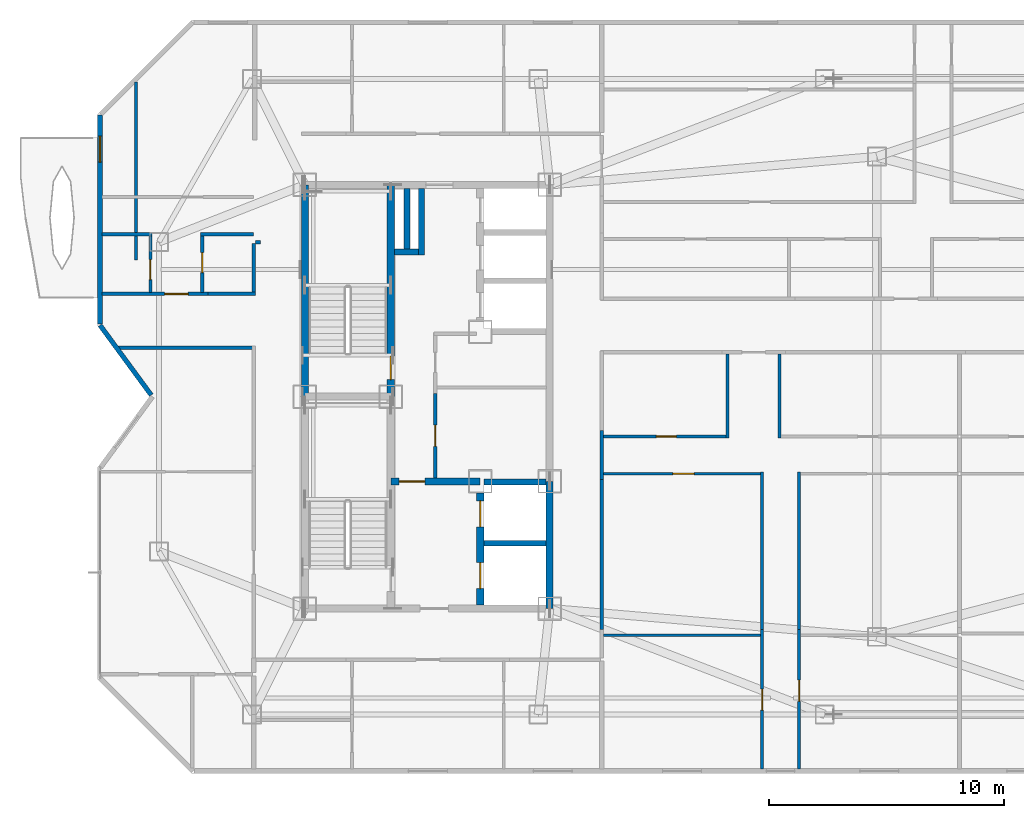
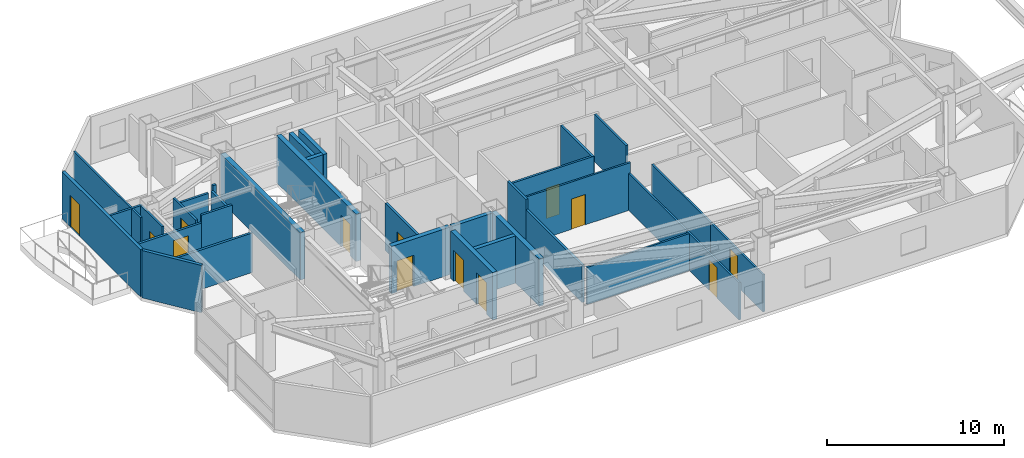
# One storey, part 9 of 14: 34 walls, 13 doors, 13 openings.
"""IFC4 building model written with IfcOpenShell, lengths in metres."""

from ifc_helpers import new_model, si_unit, direction, frame, frame_2d, origin, place, context, subcontext, project, spatial, rectangle, extrude, material, layer, layer_set, type_object, element, fill, save


model = new_model("IFC4")

# Units and contexts
model_context = context("Model", 3, precision=1e-05, world=origin(), true_north=direction((0.0, 1.0)))
body_context = subcontext(model_context, "Body", "Model", "MODEL_VIEW")
ifc_project = project(units=[si_unit("LENGTHUNIT", "METRE"), si_unit("AREAUNIT", "SQUARE_METRE"), si_unit("VOLUMEUNIT", "CUBIC_METRE"), si_unit("PLANEANGLEUNIT", "RADIAN"), si_unit("MASSUNIT", "GRAM", prefix="KILO")], contexts=[model_context])

# Site, building, storey
site_placement = place(None, origin())
site = spatial("IfcSite", under=ifc_project, at=site_placement, CompositionType="ELEMENT")
building_placement = place(site_placement, origin())
building = spatial("IfcBuilding", under=site, at=building_placement, Name="Khamvora Tower", CompositionType="ELEMENT")
storey_placement = place(building_placement, frame((0.0, 0.0, 261.0)))
storey = spatial("IfcBuildingStorey", under=building, at=storey_placement, Name="L67", CompositionType="ELEMENT", Elevation=261.0)

# Walls
ifc_material_1 = material(Name="Concrete C50/60", Category="concrete")
ifc_layer_1 = layer(ifc_material_1, 0.300048828125)
ifc_layer_set_1 = layer_set([ifc_layer_1], Name="Concrete C50/60")
wall_type_1 = type_object("IfcWallType", Name="WAL-CORE-300", PredefinedType="SHEAR", material=ifc_layer_set_1)
wall_1_placement = place(storey_placement, frame((29.0, 28.0, 0.0), z_axis=(0.0, 0.0, 1.0), x_axis=(0.0, 1.0, 0.0)))
element("IfcWall", 1, at=wall_1_placement, inside=storey, type_object=wall_type_1, Name="L67 central core west north wall", PredefinedType="SHEAR", context=body_context, shape_type="SweptSolid", body=[
    extrude(rectangle(XDim=9.0, YDim=0.300048828125, at=frame_2d((4.5, 0.0))), origin(), (0.0, 0.0, 1.0), 3.27001953125),
])
wall_2_placement = place(storey_placement, frame((39.39990234375, 19.0, 0.0), z_axis=(0.0, 0.0, 1.0), x_axis=(0.0, 1.0, 0.0)))
element("IfcWall", 2, at=wall_2_placement, inside=storey, type_object=wall_type_1, Name="L67 central core east south wall", PredefinedType="SHEAR", context=body_context, shape_type="SweptSolid", body=[
    extrude(rectangle(XDim=5.39990234375, YDim=0.300048828125, at=frame_2d((2.699951171875, 0.0))), origin(), (0.0, 0.0, 1.0), 3.27001953125),
])

# Wall, opening, door
wall_3_placement = place(storey_placement, frame((32.64990234375, 28.0, 0.0), z_axis=(0.0, 0.0, 1.0), x_axis=(0.0, 1.0, 0.0)))
wall_3 = element("IfcWall", 3, at=wall_3_placement, inside=storey, type_object=wall_type_1, Name="L67 central core stair north spine wall", PredefinedType="SHEAR", context=body_context, shape_type="SweptSolid", body=[
    extrude(rectangle(XDim=9.0, YDim=0.300048828125, at=frame_2d((4.5, 0.0))), origin(), (0.0, 0.0, 1.0), 3.27001953125),
])
opening_1_placement = place(wall_3_placement, frame((0.719970703125, 0.0, 0.0)))
opening_1 = element("IfcOpeningElement", 4, at=opening_1_placement, cuts=wall_3, Name="Opening D-ST1", PredefinedType="OPENING", context=body_context, shape_type="SweptSolid", body=[
    extrude(rectangle(XDim=1.0, YDim=2.14990234375, at=frame_2d((0.5, 1.074951171875))), frame((0.0, 0.159912109375, 0.0), z_axis=(0.0, -1.0, 0.0), x_axis=(1.0, 0.0, 0.0)), (0.0, 0.0, 1.0), 0.320068359375),
])
ifc_material_2 = material(Name="Powder-Coated Steel and Hardwood Leaf", Category="steel")
door_type_1 = type_object("IfcDoorType", Name="DOR-STAIR-1000", OperationType="NOTDEFINED", PredefinedType="DOOR", material=ifc_material_2)
door_1_placement = place(opening_1_placement, origin())
door_1 = element("IfcDoor", 5, at=door_1_placement, inside=storey, type_object=door_type_1, Name="L67 exit stair ST-02 fire door", OperationType="SINGLE_SWING_RIGHT", OverallHeight=2.14990234375, OverallWidth=1.0, PredefinedType="DOOR", context=body_context, shape_type="SweptSolid", body=[
    extrude(rectangle(XDim=1.0, YDim=2.14990234375, at=frame_2d((0.5, 1.074951171875))), frame((0.0, 0.02490234375, 0.0), z_axis=(0.0, -1.0, 0.0), x_axis=(1.0, 0.0, 0.0)), (0.0, 0.0, 1.0), 0.050048828125),
])
fill(opening_1, door_1)

wall_4_placement = place(storey_placement, frame((32.64990234375, 24.39990234375, 0.0), z_axis=(0.0, 0.0, 1.0), x_axis=(1.0, 0.0, 0.0)))
wall_4 = element("IfcWall", 6, at=wall_4_placement, inside=storey, type_object=wall_type_1, Name="L67 central core firefighting lobby north wall", PredefinedType="SHEAR", context=body_context, shape_type="SweptSolid", body=[
    extrude(rectangle(XDim=3.800048828125, YDim=0.300048828125, at=frame_2d((1.89990234375, 0.0))), origin(), (0.0, 0.0, 1.0), 3.27001953125),
])
opening_2_placement = place(wall_4_placement, frame((0.35009765625, 0.0, 0.0)))
opening_2 = element("IfcOpeningElement", 7, at=opening_2_placement, cuts=wall_4, Name="Opening D-FF1", PredefinedType="OPENING", context=body_context, shape_type="SweptSolid", body=[
    extrude(rectangle(XDim=1.10009765625, YDim=2.14990234375, at=frame_2d((0.550048828125, 1.074951171875))), frame((0.0, 0.159912109375, 0.0), z_axis=(0.0, -1.0, 0.0), x_axis=(1.0, 0.0, 0.0)), (0.0, 0.0, 1.0), 0.320068359375),
])
door_type_2 = type_object("IfcDoorType", Name="DOR-FFLOB-1100", OperationType="NOTDEFINED", PredefinedType="DOOR", material=ifc_material_2)
door_2_placement = place(opening_2_placement, origin())
door_2 = element("IfcDoor", 8, at=door_2_placement, inside=storey, type_object=door_type_2, Name="L67 firefighting lobby smoke-seal fire door", OperationType="SINGLE_SWING_RIGHT", OverallHeight=2.14990234375, OverallWidth=1.10009765625, PredefinedType="DOOR", context=body_context, shape_type="SweptSolid", body=[
    extrude(rectangle(XDim=1.10009765625, YDim=2.14990234375, at=frame_2d((0.550048828125, 1.074951171875))), frame((0.0, 0.02490234375, 0.0), z_axis=(0.0, -1.0, 0.0), x_axis=(1.0, 0.0, 0.0)), (0.0, 0.0, 1.0), 0.050048828125),
])
fill(opening_2, door_2)

# Wall, openings, doors
wall_5_placement = place(storey_placement, frame((36.449951171875, 19.154052734375, 0.0), z_axis=(0.0, 0.0, 1.0), x_axis=(0.0, 1.0, 0.0)))
wall_5 = element("IfcWall", 9, at=wall_5_placement, inside=storey, type_object=wall_type_1, Name="L67 central core lift bank south wall", PredefinedType="SHEAR", context=body_context, shape_type="SweptSolid", body=[
    extrude(rectangle(XDim=4.745849609375, YDim=0.300048828125, at=frame_2d((2.373046875, 0.0))), origin(), (0.0, 0.0, 1.0), 3.27001953125),
])
opening_3_placement = place(wall_5_placement, frame((0.696044921875, 0.0, 0.0)))
opening_3 = element("IfcOpeningElement", 10, at=opening_3_placement, cuts=wall_5, Name="Opening LD-FFL", PredefinedType="OPENING", context=body_context, shape_type="SweptSolid", body=[
    extrude(rectangle(XDim=1.10009765625, YDim=2.14990234375, at=frame_2d((0.550048828125, 1.074951171875))), frame((0.0, 0.159912109375, 0.0), z_axis=(0.0, -1.0, 0.0), x_axis=(1.0, 0.0, 0.0)), (0.0, 0.0, 1.0), 0.320068359375),
])
opening_4_placement = place(wall_5_placement, frame((3.31591796875, 0.0, 0.0)))
opening_4 = element("IfcOpeningElement", 11, at=opening_4_placement, cuts=wall_5, Name="Opening LD-FFL", PredefinedType="OPENING", context=body_context, shape_type="SweptSolid", body=[
    extrude(rectangle(XDim=1.10009765625, YDim=2.14990234375, at=frame_2d((0.550048828125, 1.074951171875))), frame((0.0, 0.159912109375, 0.0), z_axis=(0.0, -1.0, 0.0), x_axis=(1.0, 0.0, 0.0)), (0.0, 0.0, 1.0), 0.320068359375),
])
door_type_3 = type_object("IfcDoorType", Name="DOR-LIFT-1100", OperationType="SLIDING_TO_LEFT", PredefinedType="DOOR", material=ifc_material_2)
door_3_placement = place(opening_3_placement, origin())
door_3 = element("IfcDoor", 12, at=door_3_placement, inside=storey, type_object=door_type_3, Name="L67 lift landing sliding door FFL-01", OperationType="SLIDING_TO_LEFT", OverallHeight=2.14990234375, OverallWidth=1.10009765625, PredefinedType="DOOR", context=body_context, shape_type="SweptSolid", body=[
    extrude(rectangle(XDim=1.10009765625, YDim=2.14990234375, at=frame_2d((0.550048828125, 1.074951171875))), frame((0.0, 0.02490234375, 0.0), z_axis=(0.0, -1.0, 0.0), x_axis=(1.0, 0.0, 0.0)), (0.0, 0.0, 1.0), 0.050048828125),
])
fill(opening_3, door_3)
door_4_placement = place(opening_4_placement, origin())
door_4 = element("IfcDoor", 13, at=door_4_placement, inside=storey, type_object=door_type_3, Name="L67 lift landing sliding door FFL-02", OperationType="SLIDING_TO_LEFT", OverallHeight=2.14990234375, OverallWidth=1.10009765625, PredefinedType="DOOR", context=body_context, shape_type="SweptSolid", body=[
    extrude(rectangle(XDim=1.10009765625, YDim=2.14990234375, at=frame_2d((0.550048828125, 1.074951171875))), frame((0.0, 0.02490234375, 0.0), z_axis=(0.0, -1.0, 0.0), x_axis=(1.0, 0.0, 0.0)), (0.0, 0.0, 1.0), 0.050048828125),
])
fill(opening_4, door_4)

# Wall, opening, door
ifc_material_3 = material(Name="Fire-Rated Drywall and Steel Stud", Category="steel")
ifc_layer_2 = layer(ifc_material_3, 0.14990234375)
ifc_layer_set_2 = layer_set([ifc_layer_2], Name="Fire-Rated Drywall and Steel Stud")
wall_type_2 = type_object("IfcWallType", Name="WAL-CORR-150", PredefinedType="STANDARD", material=ifc_layer_set_2)
wall_6_placement = place(storey_placement, frame((34.544921875, 28.135986328125, 0.0), z_axis=(0.0, 0.0, 1.0), x_axis=(0.0, -1.0, 0.0)))
wall_6 = element("IfcWall", 14, at=wall_6_placement, inside=storey, type_object=wall_type_2, Name="L67 interior partition wall 003", PredefinedType="STANDARD", context=body_context, shape_type="SweptSolid", body=[
    extrude(rectangle(XDim=3.592041015625, YDim=0.14990234375, at=frame_2d((1.7958984375, 0.0))), origin(), (0.0, 0.0, 1.0), 3.27001953125),
])
opening_5_placement = place(wall_6_placement, frame((1.345947265625, 0.0, 0.0)))
opening_5 = element("IfcOpeningElement", 15, at=opening_5_placement, cuts=wall_6, Name="Opening D-RM1", PredefinedType="OPENING", context=body_context, shape_type="SweptSolid", body=[
    extrude(rectangle(XDim=0.89990234375, YDim=2.10009765625, at=frame_2d((0.449951171875, 1.050048828125))), frame((0.0, 0.0849609375, 0.0), z_axis=(0.0, -1.0, 0.0), x_axis=(1.0, 0.0, 0.0)), (0.0, 0.0, 1.0), 0.169921875),
])
door_type_4 = type_object("IfcDoorType", Name="DOR-ROOM-900", OperationType="NOTDEFINED", PredefinedType="DOOR", material=ifc_material_2)
door_5_placement = place(opening_5_placement, origin())
door_5 = element("IfcDoor", 16, at=door_5_placement, inside=storey, type_object=door_type_4, Name="L67 interior door PHL-CS2", OperationType="SINGLE_SWING_RIGHT", OverallHeight=2.10009765625, OverallWidth=0.89990234375, PredefinedType="DOOR", context=body_context, shape_type="SweptSolid", body=[
    extrude(rectangle(XDim=0.89990234375, YDim=2.10009765625, at=frame_2d((0.449951171875, 1.050048828125))), frame((0.0, 0.02490234375, 0.0), z_axis=(0.0, -1.0, 0.0), x_axis=(1.0, 0.0, 0.0)), (0.0, 0.0, 1.0), 0.050048828125),
])
fill(opening_5, door_5)

# Wall
wall_7_placement = place(storey_placement, frame((26.89794921875, 30.0849609375, 0.0), z_axis=(0.0, 0.0, 1.0), x_axis=(-1.0, 0.0, 0.0)))
element("IfcWall", 17, at=wall_7_placement, inside=storey, type_object=wall_type_2, Name="L67 interior partition wall 007", PredefinedType="STANDARD", context=body_context, shape_type="SweptSolid", body=[
    extrude(rectangle(XDim=5.8740234375, YDim=0.14990234375, at=frame_2d((2.93701171875, 0.0))), origin(), (0.0, 0.0, 1.0), 2.72705078125),
])

# Wall, opening, door
wall_8_placement = place(storey_placement, frame((20.39208984375, 32.364990234375, 0.0), z_axis=(0.0, 0.0, 1.0), x_axis=(1.0, 0.0, 0.0)))
wall_8 = element("IfcWall", 18, at=wall_8_placement, inside=storey, type_object=wall_type_2, Name="L67 interior partition wall 008", PredefinedType="STANDARD", context=body_context, shape_type="SweptSolid", body=[
    extrude(rectangle(XDim=4.496826171875, YDim=0.14990234375, at=frame_2d((2.24853515625, 0.0))), origin(), (0.0, 0.0, 1.0), 2.72705078125),
])
opening_6_placement = place(wall_8_placement, frame((2.64794921875, 0.0, 0.0)))
opening_6 = element("IfcOpeningElement", 19, at=opening_6_placement, cuts=wall_8, Name="Opening D-U1", PredefinedType="OPENING", context=body_context, shape_type="SweptSolid", body=[
    extrude(rectangle(XDim=1.0, YDim=2.14990234375, at=frame_2d((0.5, 1.074951171875))), frame((0.0, 0.0849609375, 0.0), z_axis=(0.0, -1.0, 0.0), x_axis=(1.0, 0.0, 0.0)), (0.0, 0.0, 1.0), 0.169921875),
])
door_type_5 = type_object("IfcDoorType", Name="DOR-UNIT-1000", OperationType="NOTDEFINED", PredefinedType="DOOR", material=ifc_material_2)
door_6_placement = place(opening_6_placement, origin())
door_6 = element("IfcDoor", 20, at=door_6_placement, inside=storey, type_object=door_type_5, Name="L67 interior door COR-67WBH", OperationType="SINGLE_SWING_RIGHT", OverallHeight=2.14990234375, OverallWidth=1.0, PredefinedType="DOOR", context=body_context, shape_type="SweptSolid", body=[
    extrude(rectangle(XDim=1.0, YDim=2.14990234375, at=frame_2d((0.5, 1.074951171875))), frame((0.0, 0.02490234375, 0.0), z_axis=(0.0, -1.0, 0.0), x_axis=(1.0, 0.0, 0.0)), (0.0, 0.0, 1.0), 0.050048828125),
])
fill(opening_6, door_6)

# Walls
wall_9_placement = place(storey_placement, frame((24.888916015625, 32.364990234375, 0.0), z_axis=(0.0, 0.0, 1.0), x_axis=(1.0, 0.0, 0.0)))
element("IfcWall", 21, at=wall_9_placement, inside=storey, type_object=wall_type_2, Name="L67 interior partition wall 009", PredefinedType="STANDARD", context=body_context, shape_type="SweptSolid", body=[
    extrude(rectangle(XDim=2.010986328125, YDim=0.14990234375, at=frame_2d((1.00537109375, 0.0))), origin(), (0.0, 0.0, 1.0), 3.27001953125),
])
wall_10_placement = place(storey_placement, frame((26.8349609375, 32.300048828125, 0.0), z_axis=(0.0, 0.0, 1.0), x_axis=(0.0, 1.0, 0.0)))
element("IfcWall", 22, at=wall_10_placement, inside=storey, type_object=wall_type_2, Name="L67 interior partition wall 010", PredefinedType="STANDARD", context=body_context, shape_type="SweptSolid", body=[
    extrude(rectangle(XDim=2.199951171875, YDim=0.14990234375, at=frame_2d((1.10009765625, 0.0))), origin(), (0.0, 0.0, 1.0), 2.947021484375),
])
wall_11_placement = place(storey_placement, frame((26.89990234375, 34.56494140625, 0.0), z_axis=(0.0, 0.0, 1.0), x_axis=(1.0, 0.0, 0.0)))
element("IfcWall", 23, at=wall_11_placement, inside=storey, type_object=wall_type_2, Name="L67 interior partition wall 011", PredefinedType="STANDARD", context=body_context, shape_type="SweptSolid", body=[
    extrude(rectangle(XDim=0.22412109375, YDim=0.14990234375, at=frame_2d((0.112060546875, 0.0))), origin(), (0.0, 0.0, 1.0), 3.27001953125),
])
wall_12_placement = place(storey_placement, frame((41.614990234375, 26.553955078125, 0.0), z_axis=(0.0, 0.0, 1.0), x_axis=(0.0, -1.0, 0.0)))
element("IfcWall", 24, at=wall_12_placement, inside=storey, type_object=wall_type_2, Name="L67 interior partition wall 019", PredefinedType="STANDARD", context=body_context, shape_type="SweptSolid", body=[
    extrude(rectangle(XDim=2.077880859375, YDim=0.14990234375, at=frame_2d((1.0390625, 0.0))), origin(), (0.0, 0.0, 1.0), 3.27001953125),
])
wall_13_placement = place(storey_placement, frame((41.614990234375, 24.47607421875, 0.0), z_axis=(0.0, 0.0, 1.0), x_axis=(0.0, -1.0, 0.0)))
element("IfcWall", 25, at=wall_13_placement, inside=storey, type_object=wall_type_2, Name="L67 interior partition wall 024", PredefinedType="STANDARD", context=body_context, shape_type="SweptSolid", body=[
    extrude(rectangle(XDim=6.361083984375, YDim=0.14990234375, at=frame_2d((3.1806640625, 0.0))), origin(), (0.0, 0.0, 1.0), 2.56494140625),
])
ifc_material_4 = material(Name="Precast concrete C40/50", Category="concrete")
ifc_layer_3 = layer(ifc_material_4, 0.199951171875)
ifc_layer_set_3 = layer_set([ifc_layer_3], Name="Precast concrete C40/50")
wall_type_3 = type_object("IfcWallType", Name="WAL-EXT-200", PredefinedType="STANDARD", material=ifc_layer_set_3)
wall_14_placement = place(storey_placement, frame((22.472900390625, 28.069091796875, 0.0), z_axis=(0.0, 0.0, 1.0), x_axis=(-0.591248456881, 0.80648946815, 0.0)))
element("IfcWall", 26, at=wall_14_placement, inside=storey, type_object=wall_type_3, Name="L67 exterior facade wall 04.1", PredefinedType="STANDARD", context=body_context, shape_type="SweptSolid", body=[
    extrude(rectangle(XDim=3.675048828125, YDim=0.199951171875, at=frame_2d((1.83740234375, 0.0))), origin(), (0.0, 0.0, 1.0), 3.27001953125),
])

# Wall, opening, door
wall_15_placement = place(storey_placement, frame((20.300048828125, 31.083984375, 0.0), z_axis=(0.0, 0.0, 1.0), x_axis=(0.0, 1.0, 0.0)))
wall_15 = element("IfcWall", 27, at=wall_15_placement, inside=storey, type_object=wall_type_3, Name="L67 exterior facade wall 05.1", PredefinedType="STANDARD", context=body_context, shape_type="SweptSolid", body=[
    extrude(rectangle(XDim=8.875, YDim=0.199951171875, at=frame_2d((4.4375, 0.0))), origin(), (0.0, 0.0, 1.0), 3.27001953125),
])
opening_7_placement = place(wall_15_placement, frame((6.881103515625, 0.0, 0.0)))
opening_7 = element("IfcOpeningElement", 28, at=opening_7_placement, cuts=wall_15, Name="Opening BD-01", PredefinedType="OPENING", context=body_context, shape_type="SweptSolid", body=[
    extrude(rectangle(XDim=1.10009765625, YDim=2.199951171875, at=frame_2d((0.550048828125, 1.10009765625))), frame((0.0, 0.10986328125, 0.0), z_axis=(0.0, -1.0, 0.0), x_axis=(1.0, 0.0, 0.0)), (0.0, 0.0, 1.0), 0.219970703125),
])
ifc_material_5 = material(Name="Anodised Aluminium and Laminated Safety Glass", Category="aluminium")
door_type_6 = type_object("IfcDoorType", Name="DOR-BAL-1100", OperationType="NOTDEFINED", PredefinedType="DOOR", material=ifc_material_5)
door_7_placement = place(opening_7_placement, origin())
door_7 = element("IfcDoor", 29, at=door_7_placement, inside=storey, type_object=door_type_6, Name="L67 lens gallery balcony door WL2", OperationType="SLIDING_TO_LEFT", OverallHeight=2.199951171875, OverallWidth=1.10009765625, PredefinedType="DOOR", context=body_context, shape_type="SweptSolid", body=[
    extrude(rectangle(XDim=1.10009765625, YDim=2.199951171875, at=frame_2d((0.550048828125, 1.10009765625))), frame((0.0, 0.02490234375, 0.0), z_axis=(0.0, -1.0, 0.0), x_axis=(1.0, 0.0, 0.0)), (0.0, 0.0, 1.0), 0.050048828125),
])
fill(opening_7, door_7)

# Wall
ifc_material_6 = material(Name="Gypsum Plasterboard Partition", Category="gypsum")
ifc_layer_4 = layer(ifc_material_6, 0.1201171875)
ifc_layer_set_4 = layer_set([ifc_layer_4], Name="Gypsum Plasterboard Partition")
wall_type_4 = type_object("IfcWallType", Name="WAL-PART-120", PredefinedType="PARTITIONING", material=ifc_layer_set_4)
wall_16_placement = place(storey_placement, frame((21.824951171875, 41.368896484375, 0.0), z_axis=(0.0, 0.0, 1.0), x_axis=(0.0, -1.0, 0.0)))
element("IfcWall", 30, at=wall_16_placement, inside=storey, type_object=wall_type_4, Name="L67 interior partition wall 047", PredefinedType="PARTITIONING", context=body_context, shape_type="SweptSolid", body=[
    extrude(rectangle(XDim=7.555908203125, YDim=0.1201171875, at=frame_2d((3.77783203125, 0.0))), origin(), (0.0, 0.0, 1.0), 3.27001953125),
])

# Wall, opening, door
wall_17_placement = place(storey_placement, frame((48.425048828125, 12.19189453125, 0.0), z_axis=(0.0, 0.0, 1.0), x_axis=(0.0, 1.0, 0.0)))
wall_17 = element("IfcWall", 31, at=wall_17_placement, inside=storey, type_object=wall_type_4, Name="L67 interior partition wall 066", PredefinedType="PARTITIONING", context=body_context, shape_type="SweptSolid", body=[
    extrude(rectangle(XDim=5.923095703125, YDim=0.1201171875, at=frame_2d((2.96142578125, 0.0))), origin(), (0.0, 0.0, 1.0), 2.56494140625),
])
opening_8_placement = place(wall_17_placement, frame((2.489990234375, 0.0, 0.0)))
opening_8 = element("IfcOpeningElement", 32, at=opening_8_placement, cuts=wall_17, Name="Opening D-RM1", PredefinedType="OPENING", context=body_context, shape_type="SweptSolid", body=[
    extrude(rectangle(XDim=0.89990234375, YDim=2.10009765625, at=frame_2d((0.449951171875, 1.050048828125))), frame((0.0, 0.070068359375, 0.0), z_axis=(0.0, -1.0, 0.0), x_axis=(1.0, 0.0, 0.0)), (0.0, 0.0, 1.0), 0.14013671875),
])
door_8_placement = place(opening_8_placement, origin())
door_8 = element("IfcDoor", 33, at=door_8_placement, inside=storey, type_object=door_type_4, Name="L67 interior door 67EA1H-67EA1R1", OperationType="SINGLE_SWING_RIGHT", OverallHeight=2.10009765625, OverallWidth=0.89990234375, PredefinedType="DOOR", context=body_context, shape_type="SweptSolid", body=[
    extrude(rectangle(XDim=0.89990234375, YDim=2.10009765625, at=frame_2d((0.449951171875, 1.050048828125))), frame((0.0, 0.02490234375, 0.0), z_axis=(0.0, -1.0, 0.0), x_axis=(1.0, 0.0, 0.0)), (0.0, 0.0, 1.0), 0.050048828125),
])
fill(opening_8, door_8)

# Wall
wall_18_placement = place(storey_placement, frame((48.425048828125, 18.114990234375, 0.0), z_axis=(0.0, 0.0, 1.0), x_axis=(0.0, 1.0, 0.0)))
element("IfcWall", 34, at=wall_18_placement, inside=storey, type_object=wall_type_4, Name="L67 interior partition wall 067", PredefinedType="PARTITIONING", context=body_context, shape_type="SweptSolid", body=[
    extrude(rectangle(XDim=6.675048828125, YDim=0.1201171875, at=frame_2d((3.33740234375, 0.0))), origin(), (0.0, 0.0, 1.0), 2.56494140625),
])

# Wall, opening, door
wall_19_placement = place(storey_placement, frame((48.489990234375, 24.72509765625, 0.0), z_axis=(0.0, 0.0, 1.0), x_axis=(-1.0, 0.0, 0.0)))
wall_19 = element("IfcWall", 35, at=wall_19_placement, inside=storey, type_object=wall_type_4, Name="L67 interior partition wall 068", PredefinedType="PARTITIONING", context=body_context, shape_type="SweptSolid", body=[
    extrude(rectangle(XDim=6.80810546875, YDim=0.1201171875, at=frame_2d((3.404052734375, 0.0))), origin(), (0.0, 0.0, 1.0), 3.27001953125),
])
opening_9_placement = place(wall_19_placement, frame((2.9541015625, 0.0, 0.0)))
opening_9 = element("IfcOpeningElement", 36, at=opening_9_placement, cuts=wall_19, Name="Opening D-RM1", PredefinedType="OPENING", context=body_context, shape_type="SweptSolid", body=[
    extrude(rectangle(XDim=0.89990234375, YDim=2.10009765625, at=frame_2d((0.449951171875, 1.050048828125))), frame((0.0, 0.070068359375, 0.0), z_axis=(0.0, -1.0, 0.0), x_axis=(1.0, 0.0, 0.0)), (0.0, 0.0, 1.0), 0.14013671875),
])
door_9_placement = place(opening_9_placement, origin())
door_9 = element("IfcDoor", 37, at=door_9_placement, inside=storey, type_object=door_type_4, Name="L67 interior door 67EA1H-67EA1R2", OperationType="SINGLE_SWING_LEFT", OverallHeight=2.10009765625, OverallWidth=0.89990234375, PredefinedType="DOOR", context=body_context, shape_type="SweptSolid", body=[
    extrude(rectangle(XDim=0.89990234375, YDim=2.10009765625, at=frame_2d((0.449951171875, 1.050048828125))), frame((0.0, 0.02490234375, 0.0), z_axis=(0.0, -1.0, 0.0), x_axis=(1.0, 0.0, 0.0)), (0.0, 0.0, 1.0), 0.050048828125),
])
fill(opening_9, door_9)

wall_20_placement = place(storey_placement, frame((49.9951171875, 18.114990234375, 0.0), z_axis=(0.0, 0.0, 1.0), x_axis=(0.0, -1.0, 0.0)))
wall_20 = element("IfcWall", 38, at=wall_20_placement, inside=storey, type_object=wall_type_4, Name="L67 interior partition wall 069", PredefinedType="PARTITIONING", context=body_context, shape_type="SweptSolid", body=[
    extrude(rectangle(XDim=5.923095703125, YDim=0.1201171875, at=frame_2d((2.96142578125, 0.0))), origin(), (0.0, 0.0, 1.0), 2.56494140625),
])
opening_10_placement = place(wall_20_placement, frame((2.159912109375, 0.0, 0.0)))
opening_10 = element("IfcOpeningElement", 39, at=opening_10_placement, cuts=wall_20, Name="Opening D-RM1", PredefinedType="OPENING", context=body_context, shape_type="SweptSolid", body=[
    extrude(rectangle(XDim=0.89990234375, YDim=2.10009765625, at=frame_2d((0.449951171875, 1.050048828125))), frame((0.0, 0.070068359375, 0.0), z_axis=(0.0, -1.0, 0.0), x_axis=(1.0, 0.0, 0.0)), (0.0, 0.0, 1.0), 0.14013671875),
])
door_10_placement = place(opening_10_placement, origin())
door_10 = element("IfcDoor", 40, at=door_10_placement, inside=storey, type_object=door_type_4, Name="L67 interior door 67EA1H-67EA1R3", OperationType="SINGLE_SWING_LEFT", OverallHeight=2.10009765625, OverallWidth=0.89990234375, PredefinedType="DOOR", context=body_context, shape_type="SweptSolid", body=[
    extrude(rectangle(XDim=0.89990234375, YDim=2.10009765625, at=frame_2d((0.449951171875, 1.050048828125))), frame((0.0, 0.02490234375, 0.0), z_axis=(0.0, -1.0, 0.0), x_axis=(1.0, 0.0, 0.0)), (0.0, 0.0, 1.0), 0.050048828125),
])
fill(opening_10, door_10)

# Walls
wall_21_placement = place(storey_placement, frame((49.9951171875, 24.7900390625, 0.0), z_axis=(0.0, 0.0, 1.0), x_axis=(0.0, -1.0, 0.0)))
element("IfcWall", 41, at=wall_21_placement, inside=storey, type_object=wall_type_4, Name="L67 interior partition wall 071", PredefinedType="PARTITIONING", context=body_context, shape_type="SweptSolid", body=[
    extrude(rectangle(XDim=6.675048828125, YDim=0.1201171875, at=frame_2d((3.33740234375, 0.0))), origin(), (0.0, 0.0, 1.0), 2.56494140625),
])
wall_22_placement = place(storey_placement, frame((41.681884765625, 17.865966796875, 0.0), z_axis=(0.0, 0.0, 1.0), x_axis=(1.0, 0.0, 0.0)))
element("IfcWall", 42, at=wall_22_placement, inside=storey, type_object=wall_type_4, Name="L67 interior partition wall 074", PredefinedType="PARTITIONING", context=body_context, shape_type="SweptSolid", body=[
    extrude(rectangle(XDim=6.689208984375, YDim=0.1201171875, at=frame_2d((3.3447265625, 0.0))), origin(), (0.0, 0.0, 1.0), 2.56494140625),
])
ifc_material_7 = material(Name="Concrete C40/50", Category="concrete")
ifc_layer_5 = layer(ifc_material_7, 0.25)
ifc_layer_set_5 = layer_set([ifc_layer_5], Name="Concrete C40/50")
wall_type_5 = type_object("IfcWallType", Name="WAL-PODS-250", PredefinedType="SHEAR", material=ifc_layer_set_5)
for number, where, z_axis, x_axis, name in (
    (43, (36.60400390625, 21.77490234375, 0.0), (0.0, 0.0, 1.0), (1.0, 0.0, 0.0), "L67 lift shaft divider wall FFL-01"),
    (44, (36.60400390625, 24.375, 0.0), (0.0, 0.0, 1.0), (1.0, 0.0, 0.0), "L67 lift shaft divider wall FFL-02"),
):
    element("IfcWall", number, at=place(storey_placement, frame(where, z_axis=z_axis, x_axis=x_axis)), inside=storey, type_object=wall_type_5, Name=name, PredefinedType="SHEAR", context=body_context, shape_type="SweptSolid", body=[
        extrude(rectangle(XDim=2.64208984375, YDim=0.25, at=frame_2d((1.321044921875, 0.0))), origin(), (0.0, 0.0, 1.0), 3.27001953125),
    ])
wall_23_placement = place(storey_placement, frame((33.955078125, 34.02490234375, 0.0), z_axis=(0.0, 0.0, 1.0), x_axis=(0.0, 1.0, 0.0)))
element("IfcWall", 45, at=wall_23_placement, inside=storey, type_object=wall_type_5, Name="L67 vertical MEP riser shaft east enclosure wall", PredefinedType="SHEAR", context=body_context, shape_type="SweptSolid", body=[
    extrude(rectangle(XDim=2.821044921875, YDim=0.25, at=frame_2d((1.41064453125, 0.0))), origin(), (0.0, 0.0, 1.0), 3.27001953125),
])
wall_24_placement = place(storey_placement, frame((32.803955078125, 34.14990234375, 0.0), z_axis=(0.0, 0.0, 1.0), x_axis=(1.0, 0.0, 0.0)))
element("IfcWall", 46, at=wall_24_placement, inside=storey, type_object=wall_type_5, Name="L67 vertical MEP riser shaft south enclosure wall", PredefinedType="SHEAR", context=body_context, shape_type="SweptSolid", body=[
    extrude(rectangle(XDim=1.02197265625, YDim=0.25, at=frame_2d((0.510986328125, 0.0))), origin(), (0.0, 0.0, 1.0), 3.27001953125),
])
wall_25_placement = place(storey_placement, frame((33.340087890625, 34.279052734375, 0.0), z_axis=(0.0, 0.0, 1.0), x_axis=(0.0, 1.0, 0.0)))
element("IfcWall", 47, at=wall_25_placement, inside=storey, type_object=wall_type_5, Name="L67 vertical MEP riser shaft divider enclosure wall", PredefinedType="SHEAR", context=body_context, shape_type="SweptSolid", body=[
    extrude(rectangle(XDim=2.56689453125, YDim=0.25, at=frame_2d((1.283447265625, 0.0))), origin(), (0.0, 0.0, 1.0), 3.27001953125),
])

# Wall, opening, door
ifc_material_8 = material(Name="Moisture-Resistant Plasterboard Partition", Category="gypsum")
ifc_layer_6 = layer(ifc_material_8, 0.135009765625)
ifc_layer_set_6 = layer_set([ifc_layer_6], Name="Moisture-Resistant Plasterboard Partition")
wall_type_6 = type_object("IfcWallType", Name="WAL-WET-135", PredefinedType="PARTITIONING", material=ifc_layer_set_6)
wall_26_placement = place(storey_placement, frame((22.43994140625, 32.431884765625, 0.0), z_axis=(0.0, 0.0, 1.0), x_axis=(0.0, 1.0, 0.0)))
wall_26 = element("IfcWall", 48, at=wall_26_placement, inside=storey, type_object=wall_type_6, Name="L67 interior partition wall 043", PredefinedType="PARTITIONING", context=body_context, shape_type="SweptSolid", body=[
    extrude(rectangle(XDim=2.531005859375, YDim=0.135009765625, at=frame_2d((1.265625, 0.0))), origin(), (0.0, 0.0, 1.0), 3.27001953125),
])
opening_11_placement = place(wall_26_placement, frame((0.541015625, 0.0, 0.0)))
opening_11 = element("IfcOpeningElement", 49, at=opening_11_placement, cuts=wall_26, Name="Opening D-WC1", PredefinedType="OPENING", context=body_context, shape_type="SweptSolid", body=[
    extrude(rectangle(XDim=0.85009765625, YDim=2.10009765625, at=frame_2d((0.425048828125, 1.050048828125))), frame((0.0, 0.077392578125, 0.0), z_axis=(0.0, -1.0, 0.0), x_axis=(1.0, 0.0, 0.0)), (0.0, 0.0, 1.0), 0.155029296875),
])
door_type_7 = type_object("IfcDoorType", Name="DOR-WET-850", OperationType="NOTDEFINED", PredefinedType="DOOR", material=ifc_material_2)
door_11_placement = place(opening_11_placement, origin())
door_11 = element("IfcDoor", 50, at=door_11_placement, inside=storey, type_object=door_type_7, Name="L67 interior door 67WBH-67WBB", OperationType="SINGLE_SWING_LEFT", OverallHeight=2.10009765625, OverallWidth=0.85009765625, PredefinedType="DOOR", context=body_context, shape_type="SweptSolid", body=[
    extrude(rectangle(XDim=0.85009765625, YDim=2.10009765625, at=frame_2d((0.425048828125, 1.050048828125))), frame((0.0, 0.02490234375, 0.0), z_axis=(0.0, -1.0, 0.0), x_axis=(1.0, 0.0, 0.0)), (0.0, 0.0, 1.0), 0.050048828125),
])
fill(opening_11, door_11)

# Walls
wall_27_placement = place(storey_placement, frame((22.5048828125, 34.89794921875, 0.0), z_axis=(0.0, 0.0, 1.0), x_axis=(-1.0, 0.0, 0.0)))
element("IfcWall", 51, at=wall_27_placement, inside=storey, type_object=wall_type_6, Name="L67 interior partition wall 044", PredefinedType="PARTITIONING", context=body_context, shape_type="SweptSolid", body=[
    extrude(rectangle(XDim=2.11279296875, YDim=0.135009765625, at=frame_2d((1.056396484375, 0.0))), origin(), (0.0, 0.0, 1.0), 3.27001953125),
])
wall_28_placement = place(storey_placement, frame((26.81005859375, 34.89794921875, 0.0), z_axis=(0.0, 0.0, 1.0), x_axis=(-1.0, 0.0, 0.0)))
element("IfcWall", 52, at=wall_28_placement, inside=storey, type_object=wall_type_6, Name="L67 interior partition wall 045", PredefinedType="PARTITIONING", context=body_context, shape_type="SweptSolid", body=[
    extrude(rectangle(XDim=2.235107421875, YDim=0.135009765625, at=frame_2d((1.11767578125, 0.0))), origin(), (0.0, 0.0, 1.0), 2.56494140625),
])

# Wall, opening, door
wall_29_placement = place(storey_placement, frame((24.639892578125, 34.962890625, 0.0), z_axis=(0.0, 0.0, 1.0), x_axis=(0.0, -1.0, 0.0)))
wall_29 = element("IfcWall", 53, at=wall_29_placement, inside=storey, type_object=wall_type_6, Name="L67 interior partition wall 046", PredefinedType="PARTITIONING", context=body_context, shape_type="SweptSolid", body=[
    extrude(rectangle(XDim=2.531005859375, YDim=0.135009765625, at=frame_2d((1.265625, 0.0))), origin(), (0.0, 0.0, 1.0), 2.947021484375),
])
opening_12_placement = place(wall_29_placement, frame((0.841064453125, 0.0, 0.0)))
opening_12 = element("IfcOpeningElement", 54, at=opening_12_placement, cuts=wall_29, Name="Opening D-RM2", PredefinedType="OPENING", context=body_context, shape_type="SweptSolid", body=[
    extrude(rectangle(XDim=0.85009765625, YDim=2.10009765625, at=frame_2d((0.425048828125, 1.050048828125))), frame((0.0, 0.077392578125, 0.0), z_axis=(0.0, -1.0, 0.0), x_axis=(1.0, 0.0, 0.0)), (0.0, 0.0, 1.0), 0.155029296875),
])
door_type_8 = type_object("IfcDoorType", Name="DOR-ROOM-850", OperationType="NOTDEFINED", PredefinedType="DOOR", material=ifc_material_2)
door_12_placement = place(opening_12_placement, origin())
door_12 = element("IfcDoor", 55, at=door_12_placement, inside=storey, type_object=door_type_8, Name="L67 interior door 67WBH-67WBK", OperationType="SINGLE_SWING_RIGHT", OverallHeight=2.10009765625, OverallWidth=0.85009765625, PredefinedType="DOOR", context=body_context, shape_type="SweptSolid", body=[
    extrude(rectangle(XDim=0.85009765625, YDim=2.10009765625, at=frame_2d((0.425048828125, 1.050048828125))), frame((0.0, 0.02490234375, 0.0), z_axis=(0.0, -1.0, 0.0), x_axis=(1.0, 0.0, 0.0)), (0.0, 0.0, 1.0), 0.050048828125),
])
fill(opening_12, door_12)

wall_30_placement = place(storey_placement, frame((41.681884765625, 26.304931640625, 0.0), z_axis=(0.0, 0.0, 1.0), x_axis=(1.0, 0.0, 0.0)))
wall_30 = element("IfcWall", 56, at=wall_30_placement, inside=storey, type_object=wall_type_6, Name="L67 interior partition wall 062", PredefinedType="PARTITIONING", context=body_context, shape_type="SweptSolid", body=[
    extrude(rectangle(XDim=5.343017578125, YDim=0.135009765625, at=frame_2d((2.67138671875, 0.0))), origin(), (0.0, 0.0, 1.0), 3.27001953125),
])
opening_13_placement = place(wall_30_placement, frame((2.2470703125, 0.0, 0.0)))
opening_13 = element("IfcOpeningElement", 57, at=opening_13_placement, cuts=wall_30, Name="Opening D-WC1", PredefinedType="OPENING", context=body_context, shape_type="SweptSolid", body=[
    extrude(rectangle(XDim=0.85009765625, YDim=2.10009765625, at=frame_2d((0.425048828125, 1.050048828125))), frame((0.0, 0.077392578125, 0.0), z_axis=(0.0, -1.0, 0.0), x_axis=(1.0, 0.0, 0.0)), (0.0, 0.0, 1.0), 0.155029296875),
])
door_13_placement = place(opening_13_placement, origin())
door_13 = element("IfcDoor", 58, at=door_13_placement, inside=storey, type_object=door_type_7, Name="L67 interior door 67EA1H-67EA1B", OperationType="SINGLE_SWING_RIGHT", OverallHeight=2.10009765625, OverallWidth=0.85009765625, PredefinedType="DOOR", context=body_context, shape_type="SweptSolid", body=[
    extrude(rectangle(XDim=0.85009765625, YDim=2.10009765625, at=frame_2d((0.425048828125, 1.050048828125))), frame((0.0, 0.02490234375, 0.0), z_axis=(0.0, -1.0, 0.0), x_axis=(1.0, 0.0, 0.0)), (0.0, 0.0, 1.0), 0.050048828125),
])
fill(opening_13, door_13)

# Walls
for number, where, z_axis, x_axis, name in (
    (59, (46.9599609375, 26.239990234375, 0.0), (0.0, 0.0, 1.0), (0.0, 1.0, 0.0), "L67 interior partition wall 063"),
    (60, (49.159912109375, 29.820068359375, 0.0), (0.0, 0.0, 1.0), (0.0, -1.0, 0.0), "L67 interior partition wall 064"),
):
    element("IfcWall", number, at=place(storey_placement, frame(where, z_axis=z_axis, x_axis=x_axis)), inside=storey, type_object=wall_type_6, Name=name, PredefinedType="PARTITIONING", context=body_context, shape_type="SweptSolid", body=[
        extrude(rectangle(XDim=3.580078125, YDim=0.135009765625, at=frame_2d((1.7900390625, 0.0))), origin(), (0.0, 0.0, 1.0), 3.27001953125),
    ])

save(model, "model.ifc")
